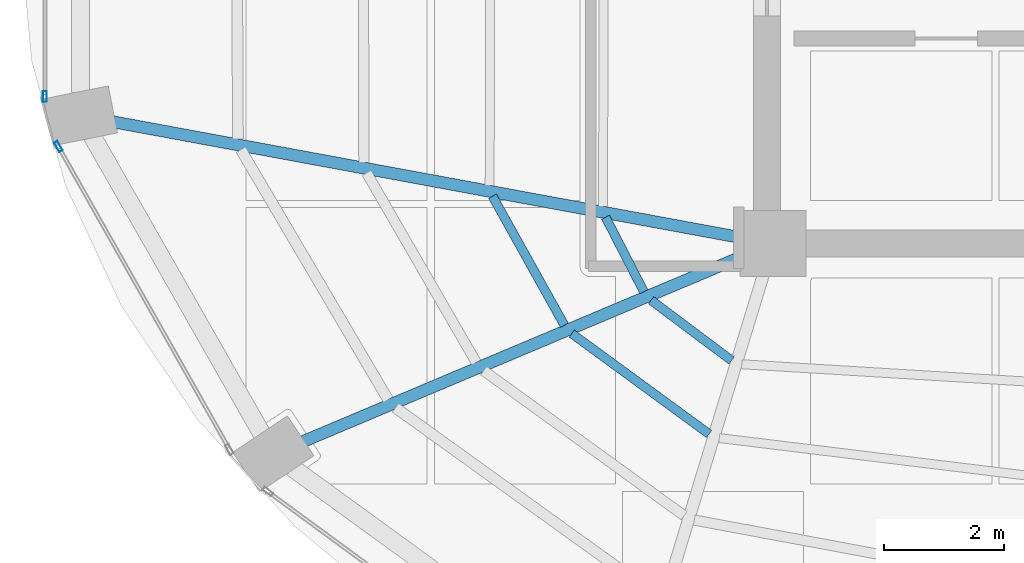
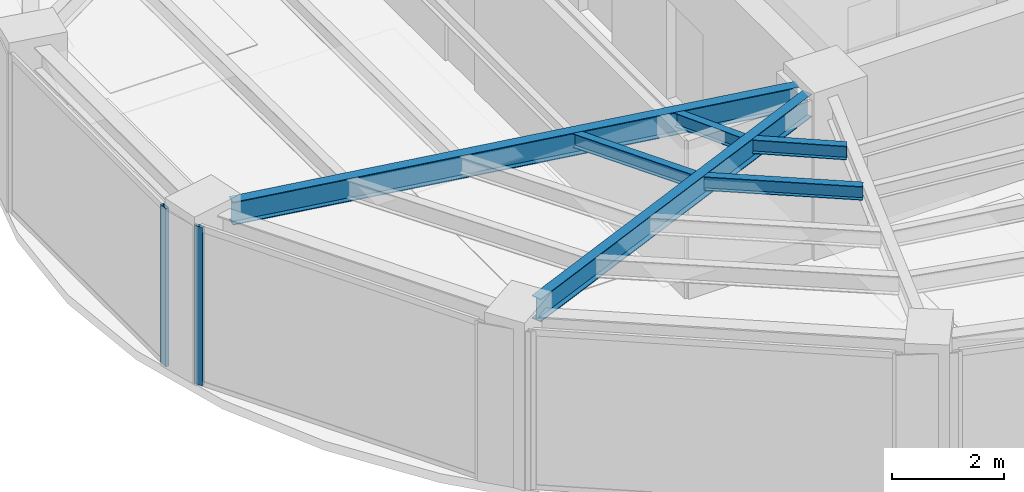
# One storey, part 4 of 22: 6 beams, 2 members, 2 elements without a shape of their own.
"""IFC4 building model written with IfcOpenShell, lengths in metres."""

import ifcopenshell
import ifcopenshell.guid

model = None  # the IFC model being written
_history = None  # IfcOwnerHistory: only IFC2X3 demands one
_inside = {}  # id of a spatial element -> (the spatial element, [elements in it])
_under = {}  # id of a project, library or spatial element -> (it, [spatial elements below it])
_declared = {}  # id of a project -> (the project, [libraries it declares])
_typed = {}  # id of a type object -> (the type object, [elements of that type])
_made_of = {}  # id of a material, layer set ... -> (it, [elements and type objects made of it])


def new_model(schema):
    """Start an empty IFC model of exactly this schema.

    Asked for "IFC4X3", IfcOpenShell would pick the latest addendum, in which some entities
    have other attributes; the version numbers below select the first issue.
    IFC2X3 requires an IfcOwnerHistory on every rooted entity: one is made here for all.
    """
    global model, _history
    if schema == "IFC4X3":
        model = ifcopenshell.file(schema_version=(4, 3, 0, 0))
    else:
        model = ifcopenshell.file(schema=schema)
    _inside.clear()
    _under.clear()
    _declared.clear()
    _typed.clear()
    _made_of.clear()
    _history = None
    if model.schema == "IFC2X3":
        org = make("IfcOrganization", Name="unknown")
        user = make(
            "IfcPersonAndOrganization",
            ThePerson=make("IfcPerson", FamilyName="unknown"),
            TheOrganization=org,
        )
        app = make(
            "IfcApplication",
            ApplicationDeveloper=org,
            Version="unknown",
            ApplicationFullName="unknown",
            ApplicationIdentifier="unknown",
        )
        _history = make(
            "IfcOwnerHistory",
            OwningUser=user,
            OwningApplication=app,
            ChangeAction="ADDED",
            CreationDate=0,
        )
    return model


def make(cls, **values):
    """One entity of the class cls with the attributes given. An attribute that is None is left unset."""
    return model.create_entity(
        cls, **{name: value for name, value in values.items() if value is not None}
    )


def rooted(cls, **values):
    """An entity with a GlobalId (a new one), such as an element, a storey or a relation."""
    return make(cls, GlobalId=ifcopenshell.guid.new(), OwnerHistory=_history, **values)


def si_unit(unit_type, name, prefix=None):
    """IfcSIUnit, for example si_unit("LENGTHUNIT", "METRE", prefix="MILLI")."""
    return make("IfcSIUnit", UnitType=unit_type, Prefix=prefix, Name=name)


def assignment(units):
    """IfcUnitAssignment: the units of a project."""
    return None if units is None else make("IfcUnitAssignment", Units=units)


def point(xyz):
    """IfcCartesianPoint."""
    return None if xyz is None else make("IfcCartesianPoint", Coordinates=xyz)


def direction(xyz):
    """IfcDirection."""
    return None if xyz is None else make("IfcDirection", DirectionRatios=xyz)


def frame(location, z_axis=None, x_axis=None):
    """IfcAxis2Placement3D, a coordinate frame: its origin and axes. An axis left out is left unset."""
    return make(
        "IfcAxis2Placement3D",
        Location=point(location),
        Axis=direction(z_axis),
        RefDirection=direction(x_axis),
    )


def frame_2d(location, x_axis=None):
    """IfcAxis2Placement2D, a coordinate frame in the plane: its origin and x axis."""
    return make(
        "IfcAxis2Placement2D", Location=point(location), RefDirection=direction(x_axis)
    )


def origin():
    """The frame at (0, 0, 0) with its axes left unset."""
    return frame((0.0, 0.0, 0.0))


def origin_2d():
    """The frame at (0, 0) in the plane with its x axis left unset."""
    return frame_2d((0.0, 0.0))


def place(relative_to, where):
    """IfcLocalPlacement: puts the frame where relative to a parent placement (None: the world)."""
    return make(
        "IfcLocalPlacement", PlacementRelTo=relative_to, RelativePlacement=where
    )


def context(
    kind, dimensions, precision=None, world=None, true_north=None, identifier=None
):
    """IfcGeometricRepresentationContext, for example the 3D "Model" context."""
    return make(
        "IfcGeometricRepresentationContext",
        ContextIdentifier=identifier,
        ContextType=kind,
        CoordinateSpaceDimension=dimensions,
        Precision=precision,
        WorldCoordinateSystem=world,
        TrueNorth=true_north,
    )


def subcontext(parent, identifier, kind, view, scale=None):
    """IfcGeometricRepresentationSubContext, for example "Body" below "Model"."""
    return make(
        "IfcGeometricRepresentationSubContext",
        ContextIdentifier=identifier,
        ContextType=kind,
        ParentContext=parent,
        TargetScale=scale,
        TargetView=view,
    )


def project(units=None, contexts=None):
    """IfcProject with its units and contexts."""
    return rooted(
        "IfcProject",
        Name="project",
        RepresentationContexts=contexts,
        UnitsInContext=assignment(units),
    )


def spatial(cls, under=None, at=None, **own):
    """A site, building, storey or space (cls), placed at a placement, below another one or the project."""
    s = rooted(cls, ObjectPlacement=at, **own)
    if under is not None:
        _under.setdefault(under.id(), (under, []))[1].append(s)
    return s


def profile(cls, at=None, kind="AREA", **sizes):
    """A parametric profile (cls). Its sizes go by their IFC names, for example OverallWidth=200.0."""
    return make(cls, ProfileType=kind, Position=at, **sizes)


def hollow_rectangle(**sizes):
    """IfcRectangleHollowProfileDef."""
    return profile("IfcRectangleHollowProfileDef", **sizes)


def i_section(**sizes):
    """IfcIShapeProfileDef."""
    return profile("IfcIShapeProfileDef", **sizes)


def extrude(swept, where, along, depth):
    """IfcExtrudedAreaSolid: the profile swept, set in the frame where, extruded along a direction by depth."""
    return make(
        "IfcExtrudedAreaSolid",
        SweptArea=swept,
        Position=where,
        ExtrudedDirection=direction(along),
        Depth=depth,
    )


def shape(context_of_items, identifier, shape_type, items):
    """IfcShapeRepresentation: the items that make up one representation, for example the "Body"."""
    return make(
        "IfcShapeRepresentation",
        ContextOfItems=context_of_items,
        RepresentationIdentifier=identifier,
        RepresentationType=shape_type,
        Items=items,
    )


def material(Name=None, Category=None):
    """IfcMaterial."""
    return make("IfcMaterial", Name=Name, Category=Category)


def layer(
    of_material, thickness, ventilated=None, Name=None, Category=None, Priority=None
):
    """IfcMaterialLayer: one layer of a wall or slab, of a material (None: an air gap)."""
    return make(
        "IfcMaterialLayer",
        Material=of_material,
        LayerThickness=thickness,
        IsVentilated=ventilated,
        Name=Name,
        Category=Category,
        Priority=Priority,
    )


def layer_set(layers, Name=None):
    """IfcMaterialLayerSet."""
    return make("IfcMaterialLayerSet", MaterialLayers=layers, LayerSetName=Name)


def material_profile(
    of_material, cross_section, Name=None, Category=None, Priority=None
):
    """IfcMaterialProfile: a cross section and its material."""
    return make(
        "IfcMaterialProfile",
        Name=Name,
        Material=of_material,
        Profile=cross_section,
        Priority=Priority,
        Category=Category,
    )


def profile_set(profiles, Name=None, composite=None):
    """IfcMaterialProfileSet."""
    return make(
        "IfcMaterialProfileSet",
        Name=Name,
        MaterialProfiles=profiles,
        CompositeProfile=composite,
    )


def made_of(thing, what):
    """Note that an element or type object is made of a material, layer set ...; save() writes the relation."""
    if what is not None:
        _made_of.setdefault(what.id(), (what, []))[1].append(thing)
    return thing


def type_object(cls, material=None, **own):
    """A type object (cls), such as IfcWallType, which elements share."""
    return made_of(rooted(cls, **own), material)


def element(
    cls,
    number,
    at=None,
    inside=None,
    cuts=None,
    type_object=None,
    material=None,
    context=None,
    identifier="Body",
    shape_type=None,
    held_by="IfcProductDefinitionShape",
    body=None,
    shapes=None,
    **own,
):
    """One element of the class cls, such as IfcWall. Its Tag is "e" and its number.

    at: its placement. inside: the storey or other place that contains it. cuts: it is an
    opening in that element (IfcRelVoidsElement). A single representation is given by context,
    identifier, shape_type and body (its items); several are given by shapes. held_by: the class
    of the entity that holds the representations. save() writes the other relations.
    """
    e = rooted(cls, Tag="e%d" % number, ObjectPlacement=at, **own)
    if body is not None:
        shapes = [shape(context, identifier, shape_type, body)]
    if shapes is not None:
        e.Representation = make(held_by, Representations=shapes)
    if inside is not None:
        _inside.setdefault(inside.id(), (inside, []))[1].append(e)
    if cuts is not None:
        rooted(
            "IfcRelVoidsElement", RelatingBuildingElement=cuts, RelatedOpeningElement=e
        )
    if type_object is not None:
        _typed.setdefault(type_object.id(), (type_object, []))[1].append(e)
    return made_of(e, material)


def aggregate(whole, parts):
    """IfcRelAggregates: a whole, such as a stair, and the parts it consists of."""
    return rooted("IfcRelAggregates", RelatingObject=whole, RelatedObjects=parts)


def save(model, path):
    """Write the relations noted so far, then the file.

    IfcRelAggregates (storeys below a building ...), IfcRelContainedInSpatialStructure (elements
    in a storey), IfcRelDefinesByType, IfcRelAssociatesMaterial and IfcRelDeclares: one each for
    every whole, place, type object, material and project.
    """
    for whole, parts in _under.values():
        aggregate(whole, parts)
    for where, things in _inside.values():
        rooted(
            "IfcRelContainedInSpatialStructure",
            RelatedElements=things,
            RelatingStructure=where,
        )
    for kind, things in _typed.values():
        rooted("IfcRelDefinesByType", RelatedObjects=things, RelatingType=kind)
    for what, things in _made_of.values():
        rooted("IfcRelAssociatesMaterial", RelatedObjects=things, RelatingMaterial=what)
    for by, libraries in _declared.values():
        rooted("IfcRelDeclares", RelatingContext=by, RelatedDefinitions=libraries)
    model.write(path)


model = new_model("IFC4")

# Units and contexts
model_context = context("Model", 3, precision=1e-05, world=origin(), true_north=direction((0.0, 1.0)))
body_context = subcontext(model_context, "Body", "Model", "MODEL_VIEW")
ifc_project = project(units=[si_unit("LENGTHUNIT", "METRE"), si_unit("AREAUNIT", "SQUARE_METRE"), si_unit("VOLUMEUNIT", "CUBIC_METRE"), si_unit("PLANEANGLEUNIT", "RADIAN"), si_unit("MASSUNIT", "GRAM", prefix="KILO")], contexts=[model_context])

# Site, building, storey
site_placement = place(None, origin())
site = spatial("IfcSite", under=ifc_project, at=site_placement, CompositionType="ELEMENT")
building_placement = place(site_placement, origin())
building = spatial("IfcBuilding", under=site, at=building_placement, Name="Lazwardi Medical Tower", CompositionType="ELEMENT")
storey_placement = place(building_placement, frame((0.0, 0.0, 258.672119140625)))
storey = spatial("IfcBuildingStorey", under=building, at=storey_placement, Name="L67", CompositionType="ELEMENT", Elevation=258.672119140625)

# Beams
ifc_material_1 = material(Name="Steel S355", Category="steel")
ifc_material_profile_1 = material_profile(ifc_material_1, i_section(OverallWidth=0.199951171875, OverallDepth=0.5, WebThickness=0.01025390625, FlangeThickness=0.01611328125, at=origin_2d()), Name="IPE 500")
ifc_profile_set_1 = profile_set([ifc_material_profile_1], Name="Steel S355")
beam_type_1 = type_object("IfcBeamType", Name="BM-RG-W3", PredefinedType="BEAM", material=ifc_profile_set_1)
beam_1_placement = place(storey_placement, frame((15.341064453125, 22.43994140625, 3.197998046875), z_axis=(0.983409341459, -0.181400295288, 0.0), x_axis=(0.181400295288, 0.983409341459, 0.0)))
element("IfcBeam", 1, at=beam_1_placement, inside=storey, type_object=beam_type_1, Name="Radial girder RG-04 R13 L67", PredefinedType="BEAM", context=body_context, shape_type="SweptSolid", body=[
    extrude(i_section(OverallWidth=0.199951171875, OverallDepth=0.5, WebThickness=0.01025390625, FlangeThickness=0.01611328125, at=origin_2d()), origin(), (0.0, 0.0, 1.0), 10.71044921875),
])
beam_2_placement = place(storey_placement, frame((18.533203125, 17.085205078125, 3.197998046875), z_axis=(0.921526791352, 0.388314785735, 0.0), x_axis=(-0.388314785735, 0.921526791352, 0.0)))
element("IfcBeam", 2, at=beam_2_placement, inside=storey, type_object=beam_type_1, Name="Radial girder RG-04 R14 L67", PredefinedType="BEAM", context=body_context, shape_type="SweptSolid", body=[
    extrude(i_section(OverallWidth=0.199951171875, OverallDepth=0.5, WebThickness=0.01025390625, FlangeThickness=0.01611328125, at=origin_2d()), origin(), (0.0, 0.0, 1.0), 8.001708984375),
])
ifc_material_profile_2 = material_profile(ifc_material_1, i_section(OverallWidth=0.14990234375, OverallDepth=0.300048828125, WebThickness=0.007080078125, FlangeThickness=0.0107421875, at=origin_2d()), Name="IPE 300")
ifc_profile_set_2 = profile_set([ifc_material_profile_2], Name="Steel S355")
beam_type_2 = type_object("IfcBeamType", Name="BM-SJ-03", PredefinedType="JOIST", material=ifc_profile_set_2)
beam_3_placement = place(storey_placement, frame((21.70703125, 21.19140625, 3.2978515625), z_axis=(0.487092942089, -0.873350139272, 0.0), x_axis=(0.873350139272, 0.487092942089, 0.0)))
element("IfcBeam", 3, at=beam_3_placement, inside=storey, type_object=beam_type_2, Name="Secondary joist SJ-03 R3 B13 L67", PredefinedType="JOIST", context=body_context, shape_type="SweptSolid", body=[
    extrude(i_section(OverallWidth=0.14990234375, OverallDepth=0.300048828125, WebThickness=0.007080078125, FlangeThickness=0.0107421875, at=origin_2d()), origin(), (0.0, 0.0, 1.0), 2.471923828125),
])
beam_4_placement = place(storey_placement, frame((23.0341796875, 18.893310546875, 3.2978515625), z_axis=(0.80703431267, -0.59050454543, 0.0), x_axis=(0.59050454543, 0.80703431267, 0.0)))
element("IfcBeam", 4, at=beam_4_placement, inside=storey, type_object=beam_type_2, Name="Secondary joist SJ-03 R3 B14 L67", PredefinedType="JOIST", context=body_context, shape_type="SweptSolid", body=[
    extrude(i_section(OverallWidth=0.14990234375, OverallDepth=0.300048828125, WebThickness=0.007080078125, FlangeThickness=0.0107421875, at=origin_2d()), origin(), (0.0, 0.0, 1.0), 2.846923828125),
])
beam_5_placement = place(storey_placement, frame((23.60009765625, 20.840087890625, 3.2978515625), z_axis=(0.457285056668, -0.889320176848, 0.0), x_axis=(0.889320176848, 0.457285056668, 0.0)))
element("IfcBeam", 5, at=beam_5_placement, inside=storey, type_object=beam_type_2, Name="Secondary joist SJ-03 R4 B13 L67", PredefinedType="JOIST", context=body_context, shape_type="SweptSolid", body=[
    extrude(i_section(OverallWidth=0.14990234375, OverallDepth=0.300048828125, WebThickness=0.007080078125, FlangeThickness=0.0107421875, at=origin_2d()), origin(), (0.0, 0.0, 1.0), 1.402099609375),
])
beam_6_placement = place(storey_placement, frame((24.36083984375, 19.451904296875, 3.2978515625), z_axis=(0.800365301971, -0.599512621553, 0.0), x_axis=(0.599512621553, 0.800365301971, 0.0)))
element("IfcBeam", 6, at=beam_6_placement, inside=storey, type_object=beam_type_2, Name="Secondary joist SJ-03 R4 B14 L67", PredefinedType="JOIST", context=body_context, shape_type="SweptSolid", body=[
    extrude(i_section(OverallWidth=0.14990234375, OverallDepth=0.300048828125, WebThickness=0.007080078125, FlangeThickness=0.0107421875, at=origin_2d()), origin(), (0.0, 0.0, 1.0), 1.68359375),
])

# Curtain wall, member
ifc_material_2 = material(Name="Anodised bronze aluminium and solar control glazing", Category="aluminium")
ifc_layer = layer(ifc_material_2, 0.18994140625)
ifc_layer_set = layer_set([ifc_layer], Name="Anodised bronze aluminium and solar control glazing")
curtain_wall_type = type_object("IfcCurtainWallType", Name="CW-SYS-04", PredefinedType="NOTDEFINED", material=ifc_layer_set)
curtain_wall_1_placement = place(storey_placement, origin())
curtain_wall_1 = element("IfcCurtainWall", 7, at=curtain_wall_1_placement, inside=storey, type_object=curtain_wall_type, Name="L67 Unitised bronze curtain wall CW-04", PredefinedType="NOTDEFINED")
ifc_material_3 = material(Name="Anodised bronze aluminium", Category="aluminium")
ifc_material_profile_3 = material_profile(ifc_material_3, hollow_rectangle(XDim=0.06494140625, YDim=0.179931640625, WallThickness=0.00390625, at=origin_2d()), Name="ALU-MULLION 180x65x4")
ifc_profile_set_3 = profile_set([ifc_material_profile_3], Name="Anodised bronze aluminium")
member_type = type_object("IfcMemberType", Name="CW-MUL-03", PredefinedType="MULLION", material=ifc_profile_set_3)
member_1_placement = place(storey_placement, frame((14.2158203125, 22.859619140625, 0.0), z_axis=(0.0, 0.0, 1.0), x_axis=(1.0, 0.0, 0.0)))
member_1 = element("IfcMember", 8, at=member_1_placement, type_object=member_type, Name="CW-04 mullion 2", PredefinedType="MULLION", context=body_context, shape_type="SweptSolid", body=[
    extrude(hollow_rectangle(XDim=0.06494140625, YDim=0.179931640625, WallThickness=0.00390625, at=origin_2d()), origin(), (0.0, 0.0, 1.0), 3.447998046875),
])
aggregate(curtain_wall_1, [member_1])

curtain_wall_2_placement = place(storey_placement, origin())
curtain_wall_2 = element("IfcCurtainWall", 9, at=curtain_wall_2_placement, inside=storey, type_object=curtain_wall_type, Name="L67 Unitised bronze curtain wall CW-04", PredefinedType="NOTDEFINED")
member_2_placement = place(storey_placement, frame((14.442626953125, 22.021728515625, 0.0), z_axis=(0.0, 0.0, 1.0), x_axis=(0.870651436011, 0.491900474661, 0.0)))
member_2 = element("IfcMember", 10, at=member_2_placement, type_object=member_type, Name="CW-04 mullion 1", PredefinedType="MULLION", context=body_context, shape_type="SweptSolid", body=[
    extrude(hollow_rectangle(XDim=0.06494140625, YDim=0.179931640625, WallThickness=0.00390625, at=origin_2d()), origin(), (0.0, 0.0, 1.0), 3.447998046875),
])
aggregate(curtain_wall_2, [member_2])

save(model, "model.ifc")
